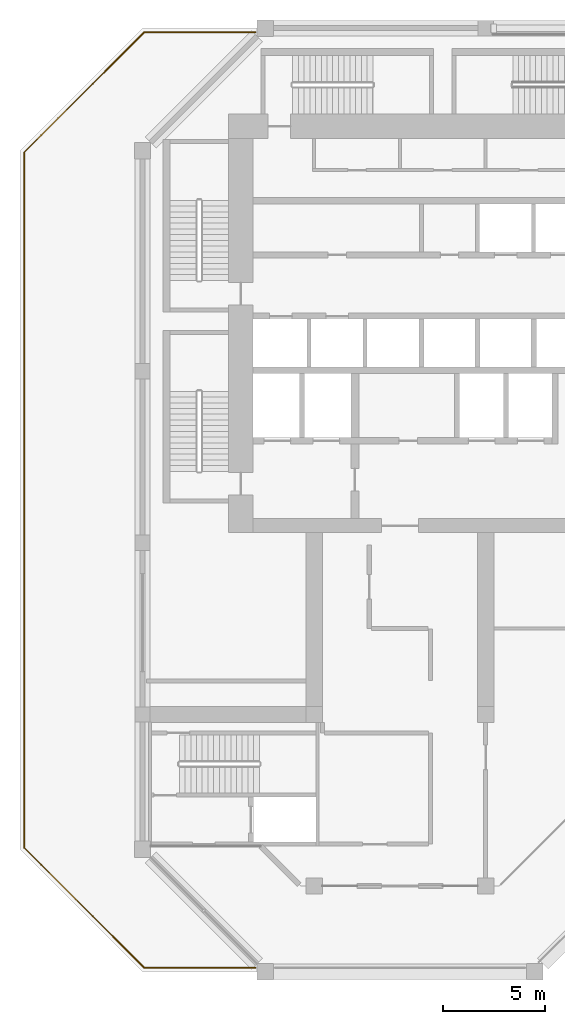
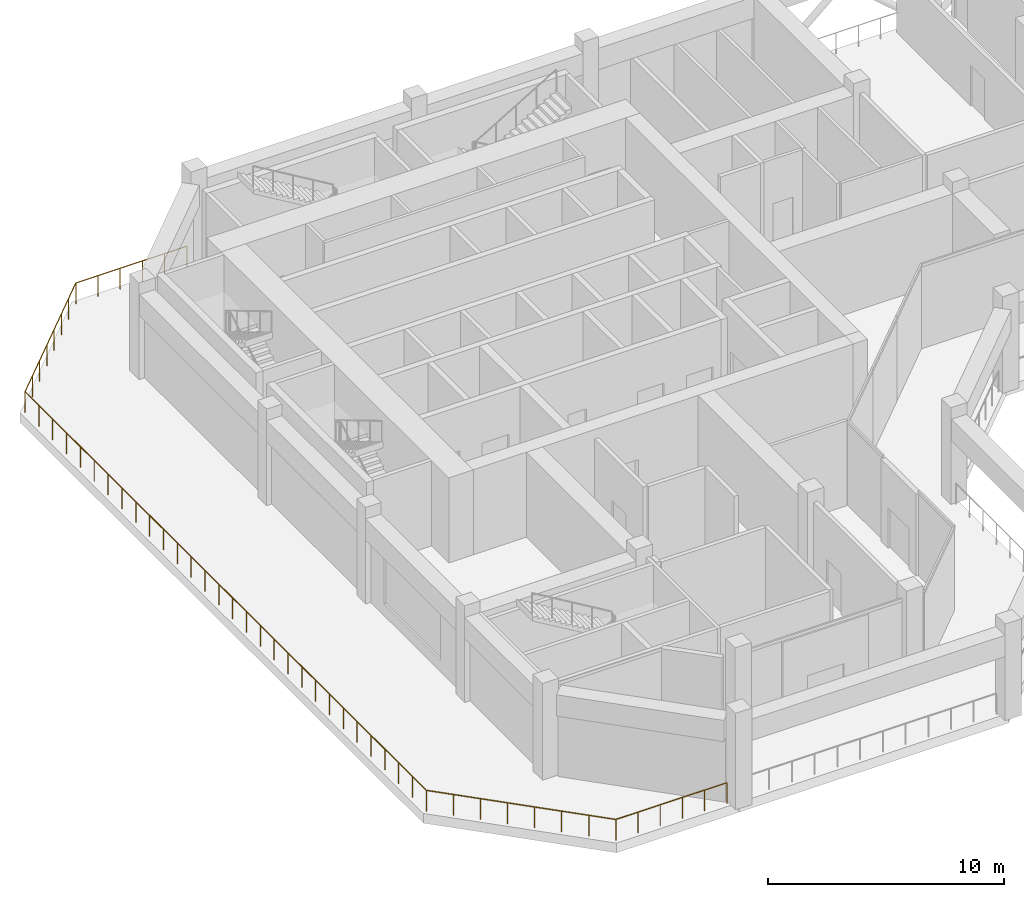
# One storey, part 12 of 16: 1 railing.
"""IFC4 building model written with IfcOpenShell, lengths in metres."""

from ifc_helpers import new_model, si_unit, direction, frame, origin, origin_2d, place, context, subcontext, project, spatial, circle, extrude, material, type_object, element, save


model = new_model("IFC4")

# Units and contexts
model_context = context("Model", 3, precision=1e-05, world=origin(), true_north=direction((0.0, 1.0)))
body_context = subcontext(model_context, "Body", "Model", "MODEL_VIEW")
ifc_project = project(units=[si_unit("LENGTHUNIT", "METRE"), si_unit("AREAUNIT", "SQUARE_METRE"), si_unit("VOLUMEUNIT", "CUBIC_METRE"), si_unit("PLANEANGLEUNIT", "RADIAN"), si_unit("MASSUNIT", "GRAM", prefix="KILO")], contexts=[model_context])

# Site, building, storey
site_placement = place(None, origin())
site = spatial("IfcSite", under=ifc_project, at=site_placement, CompositionType="ELEMENT")
building_placement = place(site_placement, origin())
building = spatial("IfcBuilding", under=site, at=building_placement, Name="Kawkab Arch Medical Tower", CompositionType="ELEMENT")
storey_placement = place(building_placement, frame((0.0, 0.0, 272.60009765625)))
storey = spatial("IfcBuildingStorey", under=building, at=storey_placement, Name="L63", CompositionType="ELEMENT", Elevation=272.60009765625)

# Railing
ifc_material = material(Name="Bronze anodised aluminium guard", Category="aluminium")
railing_type = type_object("IfcRailingType", Name="Loggia and terrace guard 1100", PredefinedType="GUARDRAIL", material=ifc_material)
railing_placement = place(storey_placement, frame((5.52001953125, -46.0, 0.0)))
element("IfcRailing", 1, at=railing_placement, inside=storey, type_object=railing_type, Name="Guard L63.REF-01.1.1", PredefinedType="GUARDRAIL", context=body_context, shape_type="SweptSolid", body=[
    extrude(circle(Radius=0.02392578125, at=origin_2d()), frame((0.0, 0.0, 1.076171875), z_axis=(-1.0, 0.0, 0.0), x_axis=(0.0, -1.0, 0.0)), (0.0, 0.0, 1.0), 5.43701171875),
    extrude(circle(Radius=0.02392578125, at=origin_2d()), frame((-5.43701171875, 0.0, 1.076171875), z_axis=(-0.707106781187, 0.707106781187, 0.0), x_axis=(-0.707106781187, -0.707106781187, 0.0)), (0.0, 0.0, 1.0), 8.317138671875),
    extrude(circle(Radius=0.02392578125, at=origin_2d()), frame((-11.318115234375, 5.881103515625, 1.076171875), z_axis=(-5.7384281e-05, 0.999999998354, 0.0), x_axis=(-0.999999998354, -5.7384281e-05, 0.0)), (0.0, 0.0, 1.0), 34.035888671875),
    extrude(circle(Radius=0.02392578125, at=origin_2d()), frame((-11.320068359375, 39.9169921875, 1.076171875), z_axis=(0.707106781187, 0.707106781187, 0.0), x_axis=(-0.707106781187, 0.707106781187, 0.0)), (0.0, 0.0, 1.0), 8.318603515625),
    extrude(circle(Radius=0.02392578125, at=origin_2d()), frame((-5.43798828125, 45.799072265625, 1.076171875), z_axis=(0.999999983875, 0.000179581572, 0.0), x_axis=(-0.000179581572, 0.999999983875, 0.0)), (0.0, 0.0, 1.0), 5.43798828125),
    extrude(circle(Radius=0.02099609375, at=origin_2d()), origin(), (0.0, 0.0, 1.0), 1.052001953125),
    extrude(circle(Radius=0.02099609375, at=origin_2d()), frame((-1.08740234375, 0.0, 0.0)), (0.0, 0.0, 1.0), 1.052001953125),
    extrude(circle(Radius=0.02099609375, at=origin_2d()), frame((-2.1748046875, 0.0, 0.0)), (0.0, 0.0, 1.0), 1.052001953125),
    extrude(circle(Radius=0.02099609375, at=origin_2d()), frame((-3.26220703125, 0.0, 0.0)), (0.0, 0.0, 1.0), 1.052001953125),
    extrude(circle(Radius=0.02099609375, at=origin_2d()), frame((-4.349609375, 0.0, 0.0)), (0.0, 0.0, 1.0), 1.052001953125),
    extrude(circle(Radius=0.02099609375, at=origin_2d()), frame((-5.43701171875, 0.0, 0.0)), (0.0, 0.0, 1.0), 1.052001953125),
    extrude(circle(Radius=0.02099609375, at=origin_2d()), frame((-6.277099609375, 0.840087890625, 0.0)), (0.0, 0.0, 1.0), 1.052001953125),
    extrude(circle(Radius=0.02099609375, at=origin_2d()), frame((-7.117431640625, 1.680419921875, 0.0)), (0.0, 0.0, 1.0), 1.052001953125),
    extrude(circle(Radius=0.02099609375, at=origin_2d()), frame((-7.95751953125, 2.5205078125, 0.0)), (0.0, 0.0, 1.0), 1.052001953125),
    extrude(circle(Radius=0.02099609375, at=origin_2d()), frame((-8.797607421875, 3.360595703125, 0.0)), (0.0, 0.0, 1.0), 1.052001953125),
    extrude(circle(Radius=0.02099609375, at=origin_2d()), frame((-9.6376953125, 4.20068359375, 0.0)), (0.0, 0.0, 1.0), 1.052001953125),
    extrude(circle(Radius=0.02099609375, at=origin_2d()), frame((-10.47802734375, 5.041015625, 0.0)), (0.0, 0.0, 1.0), 1.052001953125),
    extrude(circle(Radius=0.02099609375, at=origin_2d()), frame((-11.318115234375, 5.881103515625, 0.0)), (0.0, 0.0, 1.0), 1.052001953125),
    extrude(circle(Radius=0.02099609375, at=origin_2d()), frame((-11.318115234375, 7.0546875, 0.0)), (0.0, 0.0, 1.0), 1.052001953125),
    extrude(circle(Radius=0.02099609375, at=origin_2d()), frame((-11.318359375, 8.228515625, 0.0)), (0.0, 0.0, 1.0), 1.052001953125),
    extrude(circle(Radius=0.02099609375, at=origin_2d()), frame((-11.318359375, 9.402099609375, 0.0)), (0.0, 0.0, 1.0), 1.052001953125),
    extrude(circle(Radius=0.02099609375, at=origin_2d()), frame((-11.318359375, 10.57568359375, 0.0)), (0.0, 0.0, 1.0), 1.052001953125),
    extrude(circle(Radius=0.02099609375, at=origin_2d()), frame((-11.318359375, 11.749267578125, 0.0)), (0.0, 0.0, 1.0), 1.052001953125),
    extrude(circle(Radius=0.02099609375, at=origin_2d()), frame((-11.318603515625, 12.923095703125, 0.0)), (0.0, 0.0, 1.0), 1.052001953125),
    extrude(circle(Radius=0.02099609375, at=origin_2d()), frame((-11.318603515625, 14.0966796875, 0.0)), (0.0, 0.0, 1.0), 1.052001953125),
    extrude(circle(Radius=0.02099609375, at=origin_2d()), frame((-11.318603515625, 15.270263671875, 0.0)), (0.0, 0.0, 1.0), 1.052001953125),
    extrude(circle(Radius=0.02099609375, at=origin_2d()), frame((-11.318603515625, 16.44384765625, 0.0)), (0.0, 0.0, 1.0), 1.052001953125),
    extrude(circle(Radius=0.02099609375, at=origin_2d()), frame((-11.31884765625, 17.61767578125, 0.0)), (0.0, 0.0, 1.0), 1.052001953125),
    extrude(circle(Radius=0.02099609375, at=origin_2d()), frame((-11.31884765625, 18.791259765625, 0.0)), (0.0, 0.0, 1.0), 1.052001953125),
    extrude(circle(Radius=0.02099609375, at=origin_2d()), frame((-11.31884765625, 19.96484375, 0.0)), (0.0, 0.0, 1.0), 1.052001953125),
    extrude(circle(Radius=0.02099609375, at=origin_2d()), frame((-11.319091796875, 21.138671875, 0.0)), (0.0, 0.0, 1.0), 1.052001953125),
    extrude(circle(Radius=0.02099609375, at=origin_2d()), frame((-11.319091796875, 22.312255859375, 0.0)), (0.0, 0.0, 1.0), 1.052001953125),
    extrude(circle(Radius=0.02099609375, at=origin_2d()), frame((-11.319091796875, 23.48583984375, 0.0)), (0.0, 0.0, 1.0), 1.052001953125),
    extrude(circle(Radius=0.02099609375, at=origin_2d()), frame((-11.319091796875, 24.659423828125, 0.0)), (0.0, 0.0, 1.0), 1.052001953125),
    extrude(circle(Radius=0.02099609375, at=origin_2d()), frame((-11.3193359375, 25.833251953125, 0.0)), (0.0, 0.0, 1.0), 1.052001953125),
    extrude(circle(Radius=0.02099609375, at=origin_2d()), frame((-11.3193359375, 27.0068359375, 0.0)), (0.0, 0.0, 1.0), 1.052001953125),
    extrude(circle(Radius=0.02099609375, at=origin_2d()), frame((-11.3193359375, 28.180419921875, 0.0)), (0.0, 0.0, 1.0), 1.052001953125),
    extrude(circle(Radius=0.02099609375, at=origin_2d()), frame((-11.319580078125, 29.354248046875, 0.0)), (0.0, 0.0, 1.0), 1.052001953125),
    extrude(circle(Radius=0.02099609375, at=origin_2d()), frame((-11.319580078125, 30.52783203125, 0.0)), (0.0, 0.0, 1.0), 1.052001953125),
    extrude(circle(Radius=0.02099609375, at=origin_2d()), frame((-11.319580078125, 31.701416015625, 0.0)), (0.0, 0.0, 1.0), 1.052001953125),
    extrude(circle(Radius=0.02099609375, at=origin_2d()), frame((-11.319580078125, 32.875, 0.0)), (0.0, 0.0, 1.0), 1.052001953125),
    extrude(circle(Radius=0.02099609375, at=origin_2d()), frame((-11.31982421875, 34.048828125, 0.0)), (0.0, 0.0, 1.0), 1.052001953125),
    extrude(circle(Radius=0.02099609375, at=origin_2d()), frame((-11.31982421875, 35.222412109375, 0.0)), (0.0, 0.0, 1.0), 1.052001953125),
    extrude(circle(Radius=0.02099609375, at=origin_2d()), frame((-11.31982421875, 36.39599609375, 0.0)), (0.0, 0.0, 1.0), 1.052001953125),
    extrude(circle(Radius=0.02099609375, at=origin_2d()), frame((-11.31982421875, 37.569580078125, 0.0)), (0.0, 0.0, 1.0), 1.052001953125),
    extrude(circle(Radius=0.02099609375, at=origin_2d()), frame((-11.320068359375, 38.743408203125, 0.0)), (0.0, 0.0, 1.0), 1.052001953125),
    extrude(circle(Radius=0.02099609375, at=origin_2d()), frame((-11.320068359375, 39.9169921875, 0.0)), (0.0, 0.0, 1.0), 1.052001953125),
    extrude(circle(Radius=0.02099609375, at=origin_2d()), frame((-10.479736328125, 40.75732421875, 0.0)), (0.0, 0.0, 1.0), 1.052001953125),
    extrude(circle(Radius=0.02099609375, at=origin_2d()), frame((-9.639404296875, 41.59765625, 0.0)), (0.0, 0.0, 1.0), 1.052001953125),
    extrude(circle(Radius=0.02099609375, at=origin_2d()), frame((-8.799072265625, 42.43798828125, 0.0)), (0.0, 0.0, 1.0), 1.052001953125),
    extrude(circle(Radius=0.02099609375, at=origin_2d()), frame((-7.958984375, 43.278076171875, 0.0)), (0.0, 0.0, 1.0), 1.052001953125),
    extrude(circle(Radius=0.02099609375, at=origin_2d()), frame((-7.11865234375, 44.118408203125, 0.0)), (0.0, 0.0, 1.0), 1.052001953125),
    extrude(circle(Radius=0.02099609375, at=origin_2d()), frame((-6.2783203125, 44.958740234375, 0.0)), (0.0, 0.0, 1.0), 1.052001953125),
    extrude(circle(Radius=0.02099609375, at=origin_2d()), frame((-5.43798828125, 45.799072265625, 0.0)), (0.0, 0.0, 1.0), 1.052001953125),
    extrude(circle(Radius=0.02099609375, at=origin_2d()), frame((-4.350341796875, 45.79931640625, 0.0)), (0.0, 0.0, 1.0), 1.052001953125),
    extrude(circle(Radius=0.02099609375, at=origin_2d()), frame((-3.2626953125, 45.799560546875, 0.0)), (0.0, 0.0, 1.0), 1.052001953125),
    extrude(circle(Radius=0.02099609375, at=origin_2d()), frame((-2.17529296875, 45.799560546875, 0.0)), (0.0, 0.0, 1.0), 1.052001953125),
    extrude(circle(Radius=0.02099609375, at=origin_2d()), frame((-1.087646484375, 45.7998046875, 0.0)), (0.0, 0.0, 1.0), 1.052001953125),
    extrude(circle(Radius=0.02099609375, at=origin_2d()), frame((0.0, 45.800048828125, 0.0)), (0.0, 0.0, 1.0), 1.052001953125),
])

save(model, "model.ifc")
